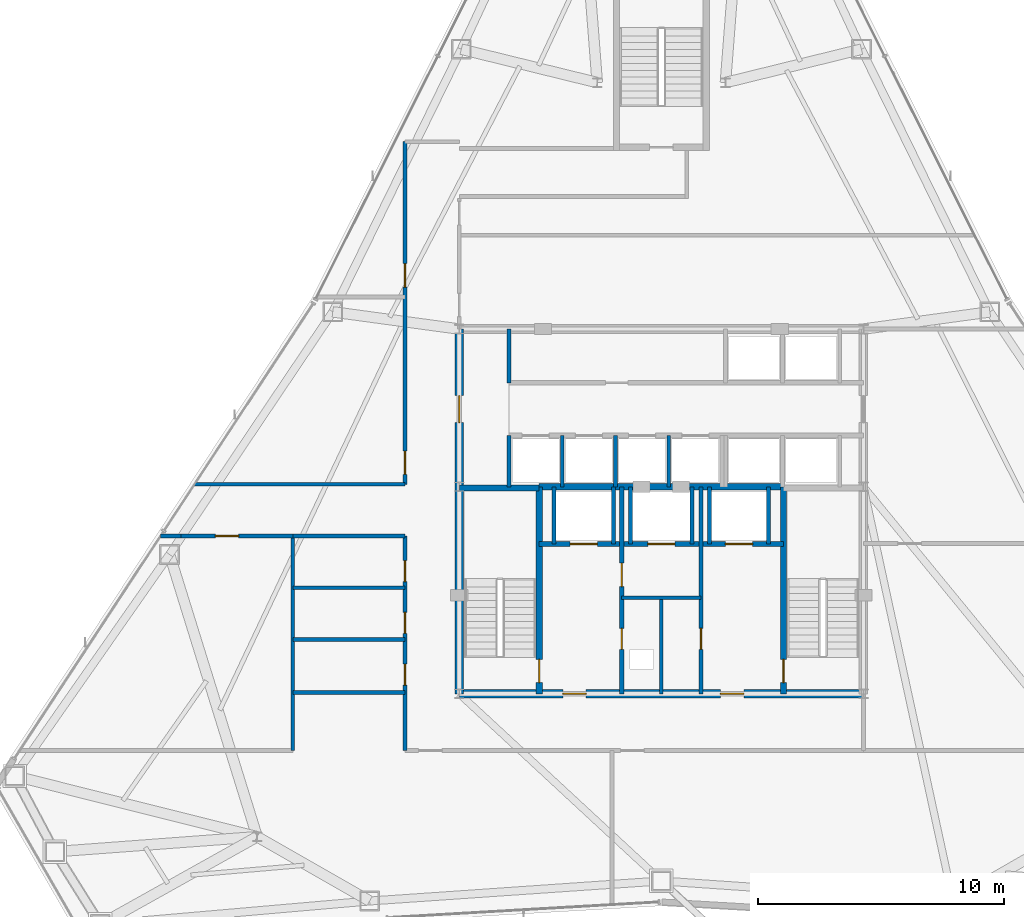
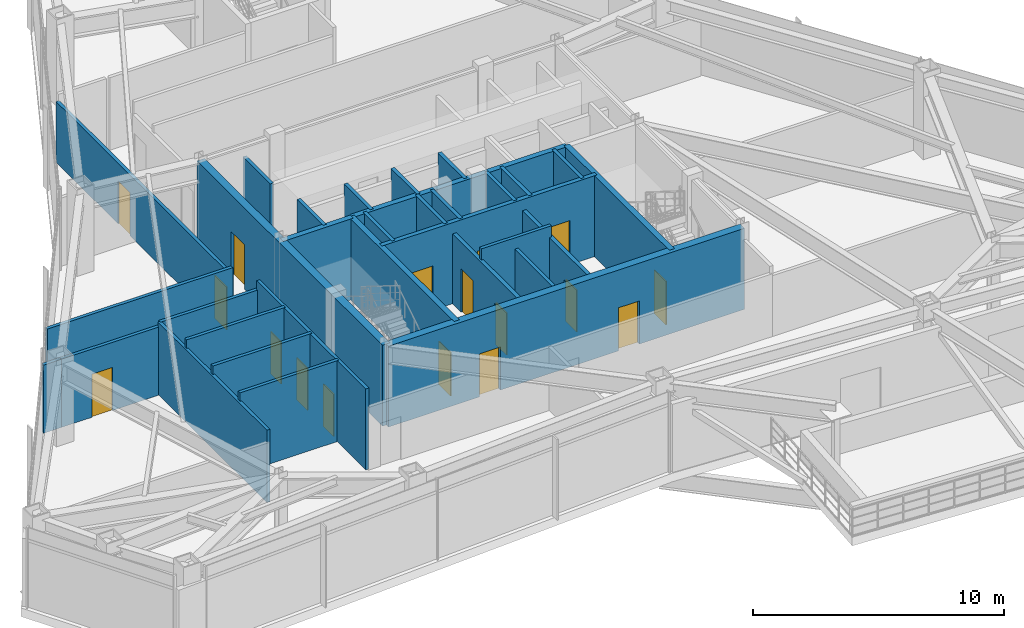
# One storey, part 9 of 13: 32 walls, 17 doors, 17 openings.
"""IFC4 building model written with IfcOpenShell, lengths in metres."""

from ifc_helpers import new_model, si_unit, direction, frame, frame_2d, origin, place, context, subcontext, project, spatial, rectangle, extrude, material, layer, layer_set, type_object, element, fill, save


model = new_model("IFC4")

# Units and contexts
model_context = context("Model", 3, precision=1e-05, world=origin(), true_north=direction((0.0, 1.0)))
body_context = subcontext(model_context, "Body", "Model", "MODEL_VIEW")
ifc_project = project(units=[si_unit("LENGTHUNIT", "METRE"), si_unit("AREAUNIT", "SQUARE_METRE"), si_unit("VOLUMEUNIT", "CUBIC_METRE"), si_unit("PLANEANGLEUNIT", "RADIAN"), si_unit("MASSUNIT", "GRAM", prefix="KILO")], contexts=[model_context])

# Site, building, storey
site_placement = place(None, origin())
site = spatial("IfcSite", under=ifc_project, at=site_placement, CompositionType="ELEMENT")
building_placement = place(site_placement, origin())
building = spatial("IfcBuilding", under=site, at=building_placement, Name="Varakhsha Concourse Tower", CompositionType="ELEMENT")
storey_placement = place(building_placement, frame((0.0, 0.0, 196.5)))
storey = spatial("IfcBuildingStorey", under=building, at=storey_placement, Name="L56", CompositionType="ELEMENT", Elevation=196.5)

# Wall, openings, doors
ifc_material_1 = material(Name="Concrete fc 65 MPa", Category="concrete")
ifc_layer_1 = layer(ifc_material_1, 0.35009765625, Name="WL-CORE-350")
ifc_layer_set_1 = layer_set([ifc_layer_1], Name="Concrete fc 65 MPa")
wall_type_1 = type_object("IfcWallType", Name="WL-CORE-350", PredefinedType="SHEAR", material=ifc_layer_set_1)
wall_1_placement = place(storey_placement, frame((31.800048828125, 16.39990234375, 0.0), z_axis=(0.0, 0.0, 1.0), x_axis=(1.0, 0.0, 0.0)))
wall_1 = element("IfcWall", 1, at=wall_1_placement, inside=storey, type_object=wall_type_1, Name="L56 Wall CWALL-S-L56", PredefinedType="SHEAR", context=body_context, shape_type="SweptSolid", body=[
    extrude(rectangle(XDim=16.39990234375, YDim=0.35009765625, at=frame_2d((8.199951171875, 0.0))), origin(), (0.0, 0.0, 1.0), 3.93994140625),
])
opening_1_placement = place(wall_1_placement, frame((4.199951171875, 0.0, 0.0)))
opening_1 = element("IfcOpeningElement", 2, at=opening_1_placement, cuts=wall_1, Name="Opening DF-05", PredefinedType="OPENING", context=body_context, shape_type="SweptSolid", body=[
    extrude(rectangle(XDim=0.949951171875, YDim=2.10009765625, at=frame_2d((0.47509765625, 1.050048828125))), frame((0.0, 0.18505859375, 0.0), z_axis=(0.0, -1.0, 0.0), x_axis=(1.0, 0.0, 0.0)), (0.0, 0.0, 1.0), 0.3701171875),
])
opening_2_placement = place(wall_1_placement, frame((10.60009765625, 0.0, 0.0)))
opening_2 = element("IfcOpeningElement", 3, at=opening_2_placement, cuts=wall_1, Name="Opening DF-05", PredefinedType="OPENING", context=body_context, shape_type="SweptSolid", body=[
    extrude(rectangle(XDim=0.949951171875, YDim=2.10009765625, at=frame_2d((0.47509765625, 1.050048828125))), frame((0.0, 0.18505859375, 0.0), z_axis=(0.0, -1.0, 0.0), x_axis=(1.0, 0.0, 0.0)), (0.0, 0.0, 1.0), 0.3701171875),
])
ifc_material_2 = material(Name="Hollow Galvanised Steel Fire Door Assembly", Category="steel")
door_type_1 = type_object("IfcDoorType", Name="DR-FD60-950", OperationType="NOTDEFINED", PredefinedType="DOOR", material=ifc_material_2)
door_1_placement = place(opening_1_placement, origin())
door_1 = element("IfcDoor", 4, at=door_1_placement, inside=storey, type_object=door_type_1, Name="L56 Firefighting Lobby West Door", OperationType="SINGLE_SWING_RIGHT", OverallHeight=2.10009765625, OverallWidth=0.949951171875, PredefinedType="DOOR", context=body_context, shape_type="SweptSolid", body=[
    extrude(rectangle(XDim=0.949951171875, YDim=2.10009765625, at=frame_2d((0.47509765625, 1.050048828125))), frame((0.0, 0.02490234375, 0.0), z_axis=(0.0, -1.0, 0.0), x_axis=(1.0, 0.0, 0.0)), (0.0, 0.0, 1.0), 0.050048828125),
])
fill(opening_1, door_1)
door_2_placement = place(opening_2_placement, origin())
door_2 = element("IfcDoor", 5, at=door_2_placement, inside=storey, type_object=door_type_1, Name="L56 Firefighting Lobby East Door", OperationType="SINGLE_SWING_LEFT", OverallHeight=2.10009765625, OverallWidth=0.949951171875, PredefinedType="DOOR", context=body_context, shape_type="SweptSolid", body=[
    extrude(rectangle(XDim=0.949951171875, YDim=2.10009765625, at=frame_2d((0.47509765625, 1.050048828125))), frame((0.0, 0.02490234375, 0.0), z_axis=(0.0, -1.0, 0.0), x_axis=(1.0, 0.0, 0.0)), (0.0, 0.0, 1.0), 0.050048828125),
])
fill(opening_2, door_2)

# Wall, opening, door
wall_2_placement = place(storey_placement, frame((31.800048828125, 16.39990234375, 0.0), z_axis=(0.0, 0.0, 1.0), x_axis=(0.0, 1.0, 0.0)))
wall_2 = element("IfcWall", 6, at=wall_2_placement, inside=storey, type_object=wall_type_1, Name="L56 Wall CWALL-W-L56", PredefinedType="SHEAR", context=body_context, shape_type="SweptSolid", body=[
    extrude(rectangle(XDim=14.800048828125, YDim=0.35009765625, at=frame_2d((7.39990234375, 0.0))), origin(), (0.0, 0.0, 1.0), 3.93994140625),
])
opening_3_placement = place(wall_2_placement, frame((11.0, 0.0, 0.0)))
opening_3 = element("IfcOpeningElement", 7, at=opening_3_placement, cuts=wall_2, Name="Opening DL-01", PredefinedType="OPENING", context=body_context, shape_type="SweptSolid", body=[
    extrude(rectangle(XDim=1.10009765625, YDim=2.14990234375, at=frame_2d((0.550048828125, 1.074951171875))), frame((0.0, 0.18505859375, 0.0), z_axis=(0.0, -1.0, 0.0), x_axis=(1.0, 0.0, 0.0)), (0.0, 0.0, 1.0), 0.3701171875),
])
ifc_material_3 = material(Name="Anodised Bronze Architectural Aluminium AA 6063-T6", Category="aluminium")
door_type_2 = type_object("IfcDoorType", Name="DR-LOB-1100", OperationType="NOTDEFINED", PredefinedType="DOOR", material=ifc_material_3)
door_3_placement = place(opening_3_placement, origin())
door_3 = element("IfcDoor", 8, at=door_3_placement, inside=storey, type_object=door_type_2, Name="L56 Lift Lobby West Concourse Door", OperationType="SINGLE_SWING_LEFT", OverallHeight=2.14990234375, OverallWidth=1.10009765625, PredefinedType="DOOR", context=body_context, shape_type="SweptSolid", body=[
    extrude(rectangle(XDim=1.10009765625, YDim=2.14990234375, at=frame_2d((0.550048828125, 1.074951171875))), frame((0.0, 0.02490234375, 0.0), z_axis=(0.0, -1.0, 0.0), x_axis=(1.0, 0.0, 0.0)), (0.0, 0.0, 1.0), 0.050048828125),
])
fill(opening_3, door_3)

# Wall, openings, doors
ifc_material_4 = material(Name="Fire-Rated Type X Gypsum Partition Assembly", Category="gypsum")
ifc_layer_2 = layer(ifc_material_4, 0.179931640625, Name="WL-FFLOB-180")
ifc_layer_set_2 = layer_set([ifc_layer_2], Name="Fire-Rated Type X Gypsum Partition Assembly")
wall_type_2 = type_object("IfcWallType", Name="WL-FFLOB-180", PredefinedType="PARTITIONING", material=ifc_layer_set_2)
wall_3_placement = place(storey_placement, frame((38.389892578125, 16.39990234375, 0.0), z_axis=(0.0, 0.0, 1.0), x_axis=(0.0, 1.0, 0.0)))
wall_3 = element("IfcWall", 9, at=wall_3_placement, inside=storey, type_object=wall_type_2, Name="L56 Wall FFW-1E-L56", PredefinedType="PARTITIONING", context=body_context, shape_type="SweptSolid", body=[
    extrude(rectangle(XDim=8.400146484375, YDim=0.179931640625, at=frame_2d((4.2001953125, 0.0))), origin(), (0.0, 0.0, 1.0), 3.39501953125),
])
opening_4_placement = place(wall_3_placement, frame((1.800048828125, 0.0, 0.0)))
opening_4 = element("IfcOpeningElement", 10, at=opening_4_placement, cuts=wall_3, Name="Opening DF-07", PredefinedType="OPENING", context=body_context, shape_type="SweptSolid", body=[
    extrude(rectangle(XDim=0.85009765625, YDim=2.050048828125, at=frame_2d((0.425048828125, 1.02490234375))), frame((0.0, 0.099853515625, 0.0), z_axis=(0.0, -1.0, 0.0), x_axis=(1.0, 0.0, 0.0)), (0.0, 0.0, 1.0), 0.199951171875),
])
opening_5_placement = place(wall_3_placement, frame((4.35009765625, 0.0, 0.0)))
opening_5 = element("IfcOpeningElement", 11, at=opening_5_placement, cuts=wall_3, Name="Opening DF-05", PredefinedType="OPENING", context=body_context, shape_type="SweptSolid", body=[
    extrude(rectangle(XDim=0.949951171875, YDim=2.10009765625, at=frame_2d((0.47509765625, 1.050048828125))), frame((0.0, 0.099853515625, 0.0), z_axis=(0.0, -1.0, 0.0), x_axis=(1.0, 0.0, 0.0)), (0.0, 0.0, 1.0), 0.199951171875),
])
door_type_3 = type_object("IfcDoorType", Name="DR-FD60-850", OperationType="NOTDEFINED", PredefinedType="DOOR", material=ifc_material_2)
door_4_placement = place(opening_4_placement, origin())
door_4 = element("IfcDoor", 12, at=door_4_placement, inside=storey, type_object=door_type_3, Name="L56 Power Metering Closet Door", OperationType="SINGLE_SWING_LEFT", OverallHeight=2.050048828125, OverallWidth=0.85009765625, PredefinedType="DOOR", context=body_context, shape_type="SweptSolid", body=[
    extrude(rectangle(XDim=0.85009765625, YDim=2.050048828125, at=frame_2d((0.425048828125, 1.02490234375))), frame((0.0, 0.02490234375, 0.0), z_axis=(0.0, -1.0, 0.0), x_axis=(1.0, 0.0, 0.0)), (0.0, 0.0, 1.0), 0.050048828125),
])
fill(opening_4, door_4)
door_5_placement = place(opening_5_placement, origin())
door_5 = element("IfcDoor", 13, at=door_5_placement, inside=storey, type_object=door_type_1, Name="L56 Service Vestibule Door", OperationType="SINGLE_SWING_RIGHT", OverallHeight=2.10009765625, OverallWidth=0.949951171875, PredefinedType="DOOR", context=body_context, shape_type="SweptSolid", body=[
    extrude(rectangle(XDim=0.949951171875, YDim=2.10009765625, at=frame_2d((0.47509765625, 1.050048828125))), frame((0.0, 0.02490234375, 0.0), z_axis=(0.0, -1.0, 0.0), x_axis=(1.0, 0.0, 0.0)), (0.0, 0.0, 1.0), 0.050048828125),
])
fill(opening_5, door_5)

# Wall, opening, door
wall_4_placement = place(storey_placement, frame((41.610107421875, 16.39990234375, 0.0), z_axis=(0.0, 0.0, 1.0), x_axis=(0.0, 1.0, 0.0)))
wall_4 = element("IfcWall", 14, at=wall_4_placement, inside=storey, type_object=wall_type_2, Name="L56 Wall FFW-2W-L56", PredefinedType="PARTITIONING", context=body_context, shape_type="SweptSolid", body=[
    extrude(rectangle(XDim=8.400146484375, YDim=0.179931640625, at=frame_2d((4.2001953125, 0.0))), origin(), (0.0, 0.0, 1.0), 3.39501953125),
])
opening_6_placement = place(wall_4_placement, frame((1.800048828125, 0.0, 0.0)))
opening_6 = element("IfcOpeningElement", 15, at=opening_6_placement, cuts=wall_4, Name="Opening DF-07", PredefinedType="OPENING", context=body_context, shape_type="SweptSolid", body=[
    extrude(rectangle(XDim=0.85009765625, YDim=2.050048828125, at=frame_2d((0.425048828125, 1.02490234375))), frame((0.0, 0.099853515625, 0.0), z_axis=(0.0, -1.0, 0.0), x_axis=(1.0, 0.0, 0.0)), (0.0, 0.0, 1.0), 0.199951171875),
])
door_6_placement = place(opening_6_placement, origin())
door_6 = element("IfcDoor", 16, at=door_6_placement, inside=storey, type_object=door_type_3, Name="L56 BMS Control Closet Door", OperationType="SINGLE_SWING_RIGHT", OverallHeight=2.050048828125, OverallWidth=0.85009765625, PredefinedType="DOOR", context=body_context, shape_type="SweptSolid", body=[
    extrude(rectangle(XDim=0.85009765625, YDim=2.050048828125, at=frame_2d((0.425048828125, 1.02490234375))), frame((0.0, 0.02490234375, 0.0), z_axis=(0.0, -1.0, 0.0), x_axis=(1.0, 0.0, 0.0)), (0.0, 0.0, 1.0), 0.050048828125),
])
fill(opening_6, door_6)

# Walls
ifc_layer_3 = layer(ifc_material_4, 0.14990234375, Name="WL-PART-150")
ifc_layer_set_3 = layer_set([ifc_layer_3], Name="Fire-Rated Type X Gypsum Partition Assembly")
wall_type_3 = type_object("IfcWallType", Name="WL-PART-150", PredefinedType="PARTITIONING", material=ifc_layer_set_3)
wall_5_placement = place(storey_placement, frame((38.389892578125, 20.300048828125, 0.0), z_axis=(0.0, 0.0, 1.0), x_axis=(1.0, 0.0, 0.0)))
element("IfcWall", 17, at=wall_5_placement, inside=storey, type_object=wall_type_3, Name="L56 Wall RSW-TH-L56", PredefinedType="PARTITIONING", context=body_context, shape_type="SweptSolid", body=[
    extrude(rectangle(XDim=3.22021484375, YDim=0.14990234375, at=frame_2d((1.610107421875, 0.0))), origin(), (0.0, 0.0, 1.0), 3.93994140625),
])
wall_6_placement = place(storey_placement, frame((40.0, 16.39990234375, 0.0), z_axis=(0.0, 0.0, 1.0), x_axis=(0.0, 1.0, 0.0)))
element("IfcWall", 18, at=wall_6_placement, inside=storey, type_object=wall_type_3, Name="L56 Wall RSW-TV-L56", PredefinedType="PARTITIONING", context=body_context, shape_type="SweptSolid", body=[
    extrude(rectangle(XDim=3.900146484375, YDim=0.14990234375, at=frame_2d((1.9501953125, 0.0))), origin(), (0.0, 0.0, 1.0), 3.39501953125),
])

# Wall, openings, doors
wall_7_placement = place(storey_placement, frame((29.60009765625, 14.10009765625, 0.0), z_axis=(0.0, 0.0, 1.0), x_axis=(0.0, 1.0, 0.0)))
wall_7 = element("IfcWall", 19, at=wall_7_placement, inside=storey, type_object=wall_type_3, Name="L56 Wall CRW-WS-L56", PredefinedType="PARTITIONING", context=body_context, shape_type="SweptSolid", body=[
    extrude(rectangle(XDim=8.699951171875, YDim=0.14990234375, at=frame_2d((4.35009765625, 0.0))), origin(), (0.0, 0.0, 1.0), 3.93994140625),
])
opening_7_placement = place(wall_7_placement, frame((2.64990234375, 0.0, 0.0)))
opening_7 = element("IfcOpeningElement", 20, at=opening_7_placement, cuts=wall_7, Name="Opening DF-07", PredefinedType="OPENING", context=body_context, shape_type="SweptSolid", body=[
    extrude(rectangle(XDim=0.85009765625, YDim=2.050048828125, at=frame_2d((0.425048828125, 1.02490234375))), frame((0.0, 0.0849609375, 0.0), z_axis=(0.0, -1.0, 0.0), x_axis=(1.0, 0.0, 0.0)), (0.0, 0.0, 1.0), 0.169921875),
])
opening_8_placement = place(wall_7_placement, frame((4.75, 0.0, 0.0)))
opening_8 = element("IfcOpeningElement", 21, at=opening_8_placement, cuts=wall_7, Name="Opening DF-07", PredefinedType="OPENING", context=body_context, shape_type="SweptSolid", body=[
    extrude(rectangle(XDim=0.85009765625, YDim=2.050048828125, at=frame_2d((0.425048828125, 1.02490234375))), frame((0.0, 0.0849609375, 0.0), z_axis=(0.0, -1.0, 0.0), x_axis=(1.0, 0.0, 0.0)), (0.0, 0.0, 1.0), 0.169921875),
])
opening_9_placement = place(wall_7_placement, frame((6.85009765625, 0.0, 0.0)))
opening_9 = element("IfcOpeningElement", 22, at=opening_9_placement, cuts=wall_7, Name="Opening DF-07", PredefinedType="OPENING", context=body_context, shape_type="SweptSolid", body=[
    extrude(rectangle(XDim=0.85009765625, YDim=2.050048828125, at=frame_2d((0.425048828125, 1.02490234375))), frame((0.0, 0.0849609375, 0.0), z_axis=(0.0, -1.0, 0.0), x_axis=(1.0, 0.0, 0.0)), (0.0, 0.0, 1.0), 0.169921875),
])
door_7_placement = place(opening_7_placement, origin())
door_7 = element("IfcDoor", 23, at=door_7_placement, inside=storey, type_object=door_type_3, Name="L56 Men Restroom WC Door", OperationType="SINGLE_SWING_LEFT", OverallHeight=2.050048828125, OverallWidth=0.85009765625, PredefinedType="DOOR", context=body_context, shape_type="SweptSolid", body=[
    extrude(rectangle(XDim=0.85009765625, YDim=2.050048828125, at=frame_2d((0.425048828125, 1.02490234375))), frame((0.0, 0.02490234375, 0.0), z_axis=(0.0, -1.0, 0.0), x_axis=(1.0, 0.0, 0.0)), (0.0, 0.0, 1.0), 0.050048828125),
])
fill(opening_7, door_7)
door_8_placement = place(opening_8_placement, origin())
door_8 = element("IfcDoor", 24, at=door_8_placement, inside=storey, type_object=door_type_3, Name="L56 Women Restroom WC Door", OperationType="SINGLE_SWING_LEFT", OverallHeight=2.050048828125, OverallWidth=0.85009765625, PredefinedType="DOOR", context=body_context, shape_type="SweptSolid", body=[
    extrude(rectangle(XDim=0.85009765625, YDim=2.050048828125, at=frame_2d((0.425048828125, 1.02490234375))), frame((0.0, 0.02490234375, 0.0), z_axis=(0.0, -1.0, 0.0), x_axis=(1.0, 0.0, 0.0)), (0.0, 0.0, 1.0), 0.050048828125),
])
fill(opening_8, door_8)
door_9_placement = place(opening_9_placement, origin())
door_9 = element("IfcDoor", 25, at=door_9_placement, inside=storey, type_object=door_type_3, Name="L56 Accessible WC Door", OperationType="SINGLE_SWING_LEFT", OverallHeight=2.050048828125, OverallWidth=0.85009765625, PredefinedType="DOOR", context=body_context, shape_type="SweptSolid", body=[
    extrude(rectangle(XDim=0.85009765625, YDim=2.050048828125, at=frame_2d((0.425048828125, 1.02490234375))), frame((0.0, 0.02490234375, 0.0), z_axis=(0.0, -1.0, 0.0), x_axis=(1.0, 0.0, 0.0)), (0.0, 0.0, 1.0), 0.050048828125),
])
fill(opening_9, door_9)

wall_8_placement = place(storey_placement, frame((29.60009765625, 24.89990234375, 0.0), z_axis=(0.0, 0.0, 1.0), x_axis=(0.0, 1.0, 0.0)))
wall_8 = element("IfcWall", 26, at=wall_8_placement, inside=storey, type_object=wall_type_3, Name="L56 Wall CRW-WN-L56", PredefinedType="PARTITIONING", context=body_context, shape_type="SweptSolid", body=[
    extrude(rectangle(XDim=13.900146484375, YDim=0.14990234375, at=frame_2d((6.9501953125, 0.0))), origin(), (0.0, 0.0, 1.0), 2.955078125),
])
opening_10_placement = place(wall_8_placement, frame((0.39990234375, 0.0, 0.0)))
opening_10 = element("IfcOpeningElement", 27, at=opening_10_placement, cuts=wall_8, Name="Opening DF-05", PredefinedType="OPENING", context=body_context, shape_type="SweptSolid", body=[
    extrude(rectangle(XDim=0.949951171875, YDim=2.10009765625, at=frame_2d((0.47509765625, 1.050048828125))), frame((0.0, 0.0849609375, 0.0), z_axis=(0.0, -1.0, 0.0), x_axis=(1.0, 0.0, 0.0)), (0.0, 0.0, 1.0), 0.169921875),
])
opening_11_placement = place(wall_8_placement, frame((8.0, 0.0, 0.0)))
opening_11 = element("IfcOpeningElement", 28, at=opening_11_placement, cuts=wall_8, Name="Opening DF-05", PredefinedType="OPENING", context=body_context, shape_type="SweptSolid", body=[
    extrude(rectangle(XDim=0.949951171875, YDim=2.10009765625, at=frame_2d((0.47509765625, 1.050048828125))), frame((0.0, 0.0849609375, 0.0), z_axis=(0.0, -1.0, 0.0), x_axis=(1.0, 0.0, 0.0)), (0.0, 0.0, 1.0), 0.169921875),
])
door_10_placement = place(opening_10_placement, origin())
door_10 = element("IfcDoor", 29, at=door_10_placement, inside=storey, type_object=door_type_1, Name="L56 Horizon Club Studio L56-NW Door", OperationType="SINGLE_SWING_LEFT", OverallHeight=2.10009765625, OverallWidth=0.949951171875, PredefinedType="DOOR", context=body_context, shape_type="SweptSolid", body=[
    extrude(rectangle(XDim=0.949951171875, YDim=2.10009765625, at=frame_2d((0.47509765625, 1.050048828125))), frame((0.0, 0.02490234375, 0.0), z_axis=(0.0, -1.0, 0.0), x_axis=(1.0, 0.0, 0.0)), (0.0, 0.0, 1.0), 0.050048828125),
])
fill(opening_10, door_10)
door_11_placement = place(opening_11_placement, origin())
door_11 = element("IfcDoor", 30, at=door_11_placement, inside=storey, type_object=door_type_1, Name="L56 Sky Pool Amenity Lounge L56-W2 Door", OperationType="SINGLE_SWING_RIGHT", OverallHeight=2.10009765625, OverallWidth=0.949951171875, PredefinedType="DOOR", context=body_context, shape_type="SweptSolid", body=[
    extrude(rectangle(XDim=0.949951171875, YDim=2.10009765625, at=frame_2d((0.47509765625, 1.050048828125))), frame((0.0, 0.02490234375, 0.0), z_axis=(0.0, -1.0, 0.0), x_axis=(1.0, 0.0, 0.0)), (0.0, 0.0, 1.0), 0.050048828125),
])
fill(opening_11, door_11)

# Walls
wall_9_placement = place(storey_placement, frame((19.6806640625, 22.800048828125, 0.0), z_axis=(0.0, 0.0, 1.0), x_axis=(1.0, 0.0, 0.0)))
element("IfcWall", 31, at=wall_9_placement, inside=storey, type_object=wall_type_3, Name="L56 Wall CRW-WWS-W-L56", PredefinedType="PARTITIONING", context=body_context, shape_type="SweptSolid", body=[
    extrude(rectangle(XDim=0.8193359375, YDim=0.14990234375, at=frame_2d((0.40966796875, 0.0))), origin(), (0.0, 0.0, 1.0), 3.319091796875),
])
wall_10_placement = place(storey_placement, frame((25.050048828125, 22.800048828125, 0.0), z_axis=(0.0, 0.0, 1.0), x_axis=(1.0, 0.0, 0.0)))
element("IfcWall", 32, at=wall_10_placement, inside=storey, type_object=wall_type_3, Name="L56 Wall CRW-WWS-E-L56", PredefinedType="PARTITIONING", context=body_context, shape_type="SweptSolid", body=[
    extrude(rectangle(XDim=4.550048828125, YDim=0.14990234375, at=frame_2d((2.27490234375, 0.0))), origin(), (0.0, 0.0, 1.0), 3.52294921875),
])
wall_11_placement = place(storey_placement, frame((21.060302734375, 24.89990234375, 0.0), z_axis=(0.0, 0.0, 1.0), x_axis=(1.0, 0.0, 0.0)))
element("IfcWall", 33, at=wall_11_placement, inside=storey, type_object=wall_type_3, Name="L56 Wall CRW-WWN-L56", PredefinedType="PARTITIONING", context=body_context, shape_type="SweptSolid", body=[
    extrude(rectangle(XDim=8.539794921875, YDim=0.14990234375, at=frame_2d((4.27001953125, 0.0))), origin(), (0.0, 0.0, 1.0), 3.319091796875),
])
wall_12_placement = place(storey_placement, frame((25.050048828125, 14.10009765625, 0.0), z_axis=(0.0, 0.0, 1.0), x_axis=(0.0, 1.0, 0.0)))
element("IfcWall", 34, at=wall_12_placement, inside=storey, type_object=wall_type_3, Name="L56 Wall C2WC-W-L56", PredefinedType="PARTITIONING", context=body_context, shape_type="SweptSolid", body=[
    extrude(rectangle(XDim=8.699951171875, YDim=0.14990234375, at=frame_2d((4.35009765625, 0.0))), origin(), (0.0, 0.0, 1.0), 3.52294921875),
])
for number, where, z_axis, x_axis, name in (
    (35, (25.050048828125, 16.449951171875, 0.0), (0.0, 0.0, 1.0), (1.0, 0.0, 0.0), "L56 Wall C2WC-S-L56"),
    (36, (25.050048828125, 18.60009765625, 0.0), (0.0, 0.0, 1.0), (1.0, 0.0, 0.0), "L56 Wall C2WC-D1-L56"),
    (37, (25.050048828125, 20.699951171875, 0.0), (0.0, 0.0, 1.0), (1.0, 0.0, 0.0), "L56 Wall C2WC-D2-L56"),
):
    element("IfcWall", number, at=place(storey_placement, frame(where, z_axis=z_axis, x_axis=x_axis)), inside=storey, type_object=wall_type_3, Name=name, PredefinedType="PARTITIONING", context=body_context, shape_type="SweptSolid", body=[
        extrude(rectangle(XDim=4.550048828125, YDim=0.14990234375, at=frame_2d((2.27490234375, 0.0))), origin(), (0.0, 0.0, 1.0), 3.93994140625),
    ])

# Wall, opening, door
wall_13_placement = place(storey_placement, frame((20.5, 22.800048828125, 0.0), z_axis=(0.0, 0.0, 1.0), x_axis=(1.0, 0.0, 0.0)))
wall_13 = element("IfcWall", 38, at=wall_13_placement, inside=storey, type_object=wall_type_3, Name="L56 Wall CRW-WWS-DOOR-L56", PredefinedType="PARTITIONING", context=body_context, shape_type="SweptSolid", body=[
    extrude(rectangle(XDim=4.550048828125, YDim=0.14990234375, at=frame_2d((2.27490234375, 0.0))), origin(), (0.0, 0.0, 1.0), 3.319091796875),
])
opening_12_placement = place(wall_13_placement, frame((1.39990234375, 0.0, 0.0)))
opening_12 = element("IfcOpeningElement", 39, at=opening_12_placement, cuts=wall_13, Name="Opening DF-05", PredefinedType="OPENING", context=body_context, shape_type="SweptSolid", body=[
    extrude(rectangle(XDim=0.949951171875, YDim=2.10009765625, at=frame_2d((0.47509765625, 1.050048828125))), frame((0.0, 0.0849609375, 0.0), z_axis=(0.0, -1.0, 0.0), x_axis=(1.0, 0.0, 0.0)), (0.0, 0.0, 1.0), 0.169921875),
])
door_12_placement = place(opening_12_placement, origin())
door_12 = element("IfcDoor", 40, at=door_12_placement, inside=storey, type_object=door_type_1, Name="L56 Horizon Club Studio L56-SW Door", OperationType="SINGLE_SWING_LEFT", OverallHeight=2.10009765625, OverallWidth=0.949951171875, PredefinedType="DOOR", context=body_context, shape_type="SweptSolid", body=[
    extrude(rectangle(XDim=0.949951171875, YDim=2.10009765625, at=frame_2d((0.47509765625, 1.050048828125))), frame((0.0, 0.02490234375, 0.0), z_axis=(0.0, -1.0, 0.0), x_axis=(1.0, 0.0, 0.0)), (0.0, 0.0, 1.0), 0.050048828125),
])
fill(opening_12, door_12)

# Wall, openings, doors
ifc_layer_4 = layer(ifc_material_4, 0.199951171875, Name="WL-SHAFT-220")
ifc_layer_set_4 = layer_set([ifc_layer_4], Name="Fire-Rated Type X Gypsum Partition Assembly")
wall_type_4 = type_object("IfcWallType", Name="WL-SHAFT-220", PredefinedType="SOLIDWALL", material=ifc_layer_set_4)
wall_14_placement = place(storey_placement, frame((35.044921875, 22.47998046875, 0.0), z_axis=(0.0, 0.0, 1.0), x_axis=(1.0, 0.0, 0.0)))
wall_14 = element("IfcWall", 41, at=wall_14_placement, inside=storey, type_object=wall_type_4, Name="L56 Wall FFW-NH-L56", PredefinedType="SOLIDWALL", context=body_context, shape_type="SweptSolid", body=[
    extrude(rectangle(XDim=9.91015625, YDim=0.199951171875, at=frame_2d((4.955078125, 0.0))), origin(), (0.0, 0.0, 1.0), 3.93994140625),
])
opening_13_placement = place(wall_14_placement, frame((1.2548828125, 0.0, 0.0)))
opening_13 = element("IfcOpeningElement", 42, at=opening_13_placement, cuts=wall_14, Name="Opening LD-FFL-1", PredefinedType="OPENING", context=body_context, shape_type="SweptSolid", body=[
    extrude(rectangle(XDim=1.10009765625, YDim=2.14990234375, at=frame_2d((0.550048828125, 1.074951171875))), frame((0.0, 0.10986328125, 0.0), z_axis=(0.0, -1.0, 0.0), x_axis=(1.0, 0.0, 0.0)), (0.0, 0.0, 1.0), 0.219970703125),
])
opening_14_placement = place(wall_14_placement, frame((7.554931640625, 0.0, 0.0)))
opening_14 = element("IfcOpeningElement", 43, at=opening_14_placement, cuts=wall_14, Name="Opening LD-FFL-2", PredefinedType="OPENING", context=body_context, shape_type="SweptSolid", body=[
    extrude(rectangle(XDim=1.10009765625, YDim=2.14990234375, at=frame_2d((0.550048828125, 1.074951171875))), frame((0.0, 0.10986328125, 0.0), z_axis=(0.0, -1.0, 0.0), x_axis=(1.0, 0.0, 0.0)), (0.0, 0.0, 1.0), 0.219970703125),
])
opening_15_placement = place(wall_14_placement, frame((4.405029296875, 0.0, 0.0)))
opening_15 = element("IfcOpeningElement", 44, at=opening_15_placement, cuts=wall_14, Name="Opening LD-SVL-1", PredefinedType="OPENING", context=body_context, shape_type="SweptSolid", body=[
    extrude(rectangle(XDim=1.10009765625, YDim=2.14990234375, at=frame_2d((0.550048828125, 1.074951171875))), frame((0.0, 0.10986328125, 0.0), z_axis=(0.0, -1.0, 0.0), x_axis=(1.0, 0.0, 0.0)), (0.0, 0.0, 1.0), 0.219970703125),
])
ifc_material_5 = material(Name="Brushed Austenitic Stainless Steel AISI 316", Category="steel")
door_type_4 = type_object("IfcDoorType", Name="DR-LD-1100", OperationType="DOUBLE_DOOR_SLIDING", PredefinedType="DOOR", material=ifc_material_5)
door_13_placement = place(opening_13_placement, origin())
door_13 = element("IfcDoor", 45, at=door_13_placement, inside=storey, type_object=door_type_4, Name="Lift Landing Door FFL-1 L56", OperationType="DOUBLE_DOOR_SLIDING", OverallHeight=2.14990234375, OverallWidth=1.10009765625, PredefinedType="DOOR", context=body_context, shape_type="SweptSolid", body=[
    extrude(rectangle(XDim=1.10009765625, YDim=2.14990234375, at=frame_2d((0.550048828125, 1.074951171875))), frame((0.0, 0.02490234375, 0.0), z_axis=(0.0, -1.0, 0.0), x_axis=(1.0, 0.0, 0.0)), (0.0, 0.0, 1.0), 0.050048828125),
])
fill(opening_13, door_13)
door_14_placement = place(opening_14_placement, origin())
door_14 = element("IfcDoor", 46, at=door_14_placement, inside=storey, type_object=door_type_4, Name="Lift Landing Door FFL-2 L56", OperationType="DOUBLE_DOOR_SLIDING", OverallHeight=2.14990234375, OverallWidth=1.10009765625, PredefinedType="DOOR", context=body_context, shape_type="SweptSolid", body=[
    extrude(rectangle(XDim=1.10009765625, YDim=2.14990234375, at=frame_2d((0.550048828125, 1.074951171875))), frame((0.0, 0.02490234375, 0.0), z_axis=(0.0, -1.0, 0.0), x_axis=(1.0, 0.0, 0.0)), (0.0, 0.0, 1.0), 0.050048828125),
])
fill(opening_14, door_14)
door_15_placement = place(opening_15_placement, origin())
door_15 = element("IfcDoor", 47, at=door_15_placement, inside=storey, type_object=door_type_4, Name="Lift Landing Door SVL-1 L56", OperationType="DOUBLE_DOOR_SLIDING", OverallHeight=2.14990234375, OverallWidth=1.10009765625, PredefinedType="DOOR", context=body_context, shape_type="SweptSolid", body=[
    extrude(rectangle(XDim=1.10009765625, YDim=2.14990234375, at=frame_2d((0.550048828125, 1.074951171875))), frame((0.0, 0.02490234375, 0.0), z_axis=(0.0, -1.0, 0.0), x_axis=(1.0, 0.0, 0.0)), (0.0, 0.0, 1.0), 0.050048828125),
])
fill(opening_15, door_15)

# Walls
for number, where, z_axis, x_axis, name in (
    (48, (35.64990234375, 22.47998046875, 0.0), (0.0, 0.0, 1.0), (0.0, 1.0, 0.0), "L56 Wall SHW-FFL-1-W-L56"),
    (49, (38.050048828125, 22.47998046875, 0.0), (0.0, 0.0, 1.0), (0.0, 1.0, 0.0), "L56 Wall SHW-FFL-1-E-L56"),
    (50, (41.949951171875, 22.47998046875, 0.0), (0.0, 0.0, 1.0), (0.0, 1.0, 0.0), "L56 Wall SHW-FFL-2-W-L56"),
    (51, (44.35009765625, 22.47998046875, 0.0), (0.0, 0.0, 1.0), (0.0, 1.0, 0.0), "L56 Wall SHW-FFL-2-E-L56"),
    (52, (38.75, 22.47998046875, 0.0), (0.0, 0.0, 1.0), (0.0, 1.0, 0.0), "L56 Wall SHW-SVL-1-W-L56"),
    (53, (41.25, 22.47998046875, 0.0), (0.0, 0.0, 1.0), (0.0, 1.0, 0.0), "L56 Wall SHW-SVL-1-E-L56"),
):
    element("IfcWall", number, at=place(storey_placement, frame(where, z_axis=z_axis, x_axis=x_axis)), inside=storey, type_object=wall_type_4, Name=name, PredefinedType="SOLIDWALL", context=body_context, shape_type="SweptSolid", body=[
        extrude(rectangle(XDim=2.320068359375, YDim=0.159912109375, at=frame_2d((1.16015625, 0.0))), origin(), (0.0, 0.0, 1.0), 3.93994140625),
    ])
wall_15_placement = place(storey_placement, frame((33.820068359375, 29.02001953125, 0.0), z_axis=(0.0, 0.0, 1.0), x_axis=(0.0, 1.0, 0.0)))
element("IfcWall", 54, at=wall_15_placement, inside=storey, type_object=wall_type_4, Name="L56 Wall WBOH-E1-L56", PredefinedType="SOLIDWALL", context=body_context, shape_type="SweptSolid", body=[
    extrude(rectangle(XDim=2.179931640625, YDim=0.159912109375, at=frame_2d((1.08984375, 0.0))), origin(), (0.0, 0.0, 1.0), 3.39501953125),
])
for number, where, z_axis, x_axis, name in (
    (55, (33.820068359375, 24.800048828125, 0.0), (0.0, 0.0, 1.0), (0.0, 1.0, 0.0), "L56 Wall WBOH-E2-L56"),
    (56, (35.97998046875, 24.800048828125, 0.0), (0.0, 0.0, 1.0), (0.0, 1.0, 0.0), "L56 Wall SHW-LF-P05-E-L56"),
    (57, (38.139892578125, 24.800048828125, 0.0), (0.0, 0.0, 1.0), (0.0, 1.0, 0.0), "L56 Wall SHW-LF-P06-E-L56"),
    (58, (40.300048828125, 24.800048828125, 0.0), (0.0, 0.0, 1.0), (0.0, 1.0, 0.0), "L56 Wall SHW-LF-P07-E-L56"),
):
    element("IfcWall", number, at=place(storey_placement, frame(where, z_axis=z_axis, x_axis=x_axis)), inside=storey, type_object=wall_type_4, Name=name, PredefinedType="SOLIDWALL", context=body_context, shape_type="SweptSolid", body=[
        extrude(rectangle(XDim=2.079833984375, YDim=0.159912109375, at=frame_2d((1.0400390625, 0.0))), origin(), (0.0, 0.0, 1.0), 3.93994140625),
    ])

# Wall, opening, door
ifc_material_6 = material(Name="Concrete fc 45 MPa", Category="concrete")
ifc_layer_5 = layer(ifc_material_6, 0.25, Name="WL-STAIR-250")
ifc_layer_set_5 = layer_set([ifc_layer_5], Name="Concrete fc 45 MPa")
wall_type_5 = type_object("IfcWallType", Name="WL-STAIR-250", PredefinedType="SHEAR", material=ifc_layer_set_5)
wall_16_placement = place(storey_placement, frame((35.044921875, 16.39990234375, 0.0), z_axis=(0.0, 0.0, 1.0), x_axis=(0.0, 1.0, 0.0)))
wall_16 = element("IfcWall", 59, at=wall_16_placement, inside=storey, type_object=wall_type_5, Name="L56 Wall SWALL-ST1-E-L56", PredefinedType="SHEAR", context=body_context, shape_type="SweptSolid", body=[
    extrude(rectangle(XDim=8.400146484375, YDim=0.25, at=frame_2d((4.2001953125, 0.0))), origin(), (0.0, 0.0, 1.0), 3.93994140625),
])
opening_16_placement = place(wall_16_placement, frame((0.449951171875, 0.0, 0.0)))
opening_16 = element("IfcOpeningElement", 60, at=opening_16_placement, cuts=wall_16, Name="Opening DF-03", PredefinedType="OPENING", context=body_context, shape_type="SweptSolid", body=[
    extrude(rectangle(XDim=0.949951171875, YDim=2.10009765625, at=frame_2d((0.47509765625, 1.050048828125))), frame((0.0, 0.135009765625, 0.0), z_axis=(0.0, -1.0, 0.0), x_axis=(1.0, 0.0, 0.0)), (0.0, 0.0, 1.0), 0.27001953125),
])
door_type_5 = type_object("IfcDoorType", Name="DR-FD90-950", OperationType="NOTDEFINED", PredefinedType="DOOR", material=ifc_material_2)
door_16_placement = place(opening_16_placement, origin())
door_16 = element("IfcDoor", 61, at=door_16_placement, inside=storey, type_object=door_type_5, Name="L56 Stair ST1 Fire Door", OperationType="SINGLE_SWING_LEFT", OverallHeight=2.10009765625, OverallWidth=0.949951171875, PredefinedType="DOOR", context=body_context, shape_type="SweptSolid", body=[
    extrude(rectangle(XDim=0.949951171875, YDim=2.10009765625, at=frame_2d((0.47509765625, 1.050048828125))), frame((0.0, 0.02490234375, 0.0), z_axis=(0.0, -1.0, 0.0), x_axis=(1.0, 0.0, 0.0)), (0.0, 0.0, 1.0), 0.050048828125),
])
fill(opening_16, door_16)

# Wall
wall_17_placement = place(storey_placement, frame((31.800048828125, 24.7548828125, 0.0), z_axis=(0.0, 0.0, 1.0), x_axis=(1.0, 0.0, 0.0)))
element("IfcWall", 62, at=wall_17_placement, inside=storey, type_object=wall_type_5, Name="L56 Wall SWALL-ST1-N-L56", PredefinedType="SHEAR", context=body_context, shape_type="SweptSolid", body=[
    extrude(rectangle(XDim=3.244873046875, YDim=0.25, at=frame_2d((1.62255859375, 0.0))), origin(), (0.0, 0.0, 1.0), 3.93994140625),
])

# Wall, opening, door
wall_18_placement = place(storey_placement, frame((44.955078125, 16.39990234375, 0.0), z_axis=(0.0, 0.0, 1.0), x_axis=(0.0, 1.0, 0.0)))
wall_18 = element("IfcWall", 63, at=wall_18_placement, inside=storey, type_object=wall_type_5, Name="L56 Wall SWALL-ST2-W-L56", PredefinedType="SHEAR", context=body_context, shape_type="SweptSolid", body=[
    extrude(rectangle(XDim=8.400146484375, YDim=0.25, at=frame_2d((4.2001953125, 0.0))), origin(), (0.0, 0.0, 1.0), 3.93994140625),
])
opening_17_placement = place(wall_18_placement, frame((0.449951171875, 0.0, 0.0)))
opening_17 = element("IfcOpeningElement", 64, at=opening_17_placement, cuts=wall_18, Name="Opening DF-03", PredefinedType="OPENING", context=body_context, shape_type="SweptSolid", body=[
    extrude(rectangle(XDim=0.949951171875, YDim=2.10009765625, at=frame_2d((0.47509765625, 1.050048828125))), frame((0.0, 0.135009765625, 0.0), z_axis=(0.0, -1.0, 0.0), x_axis=(1.0, 0.0, 0.0)), (0.0, 0.0, 1.0), 0.27001953125),
])
door_17_placement = place(opening_17_placement, origin())
door_17 = element("IfcDoor", 65, at=door_17_placement, inside=storey, type_object=door_type_5, Name="L56 Stair ST2 Fire Door", OperationType="SINGLE_SWING_RIGHT", OverallHeight=2.10009765625, OverallWidth=0.949951171875, PredefinedType="DOOR", context=body_context, shape_type="SweptSolid", body=[
    extrude(rectangle(XDim=0.949951171875, YDim=2.10009765625, at=frame_2d((0.47509765625, 1.050048828125))), frame((0.0, 0.02490234375, 0.0), z_axis=(0.0, -1.0, 0.0), x_axis=(1.0, 0.0, 0.0)), (0.0, 0.0, 1.0), 0.050048828125),
])
fill(opening_17, door_17)

# Wall
wall_19_placement = place(storey_placement, frame((35.044921875, 24.800048828125, 0.0), z_axis=(0.0, 0.0, 1.0), x_axis=(1.0, 0.0, 0.0)))
element("IfcWall", 66, at=wall_19_placement, inside=storey, type_object=wall_type_5, Name="L56 Wall SWALL-MID-H-L56", PredefinedType="SHEAR", context=body_context, shape_type="SweptSolid", body=[
    extrude(rectangle(XDim=9.91015625, YDim=0.25, at=frame_2d((4.955078125, 0.0))), origin(), (0.0, 0.0, 1.0), 3.93994140625),
])

save(model, "model.ifc")
